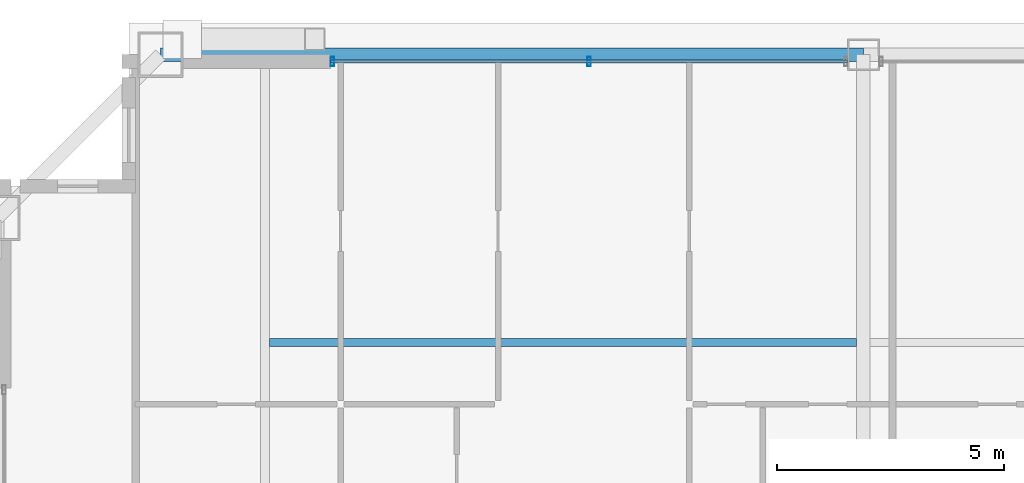
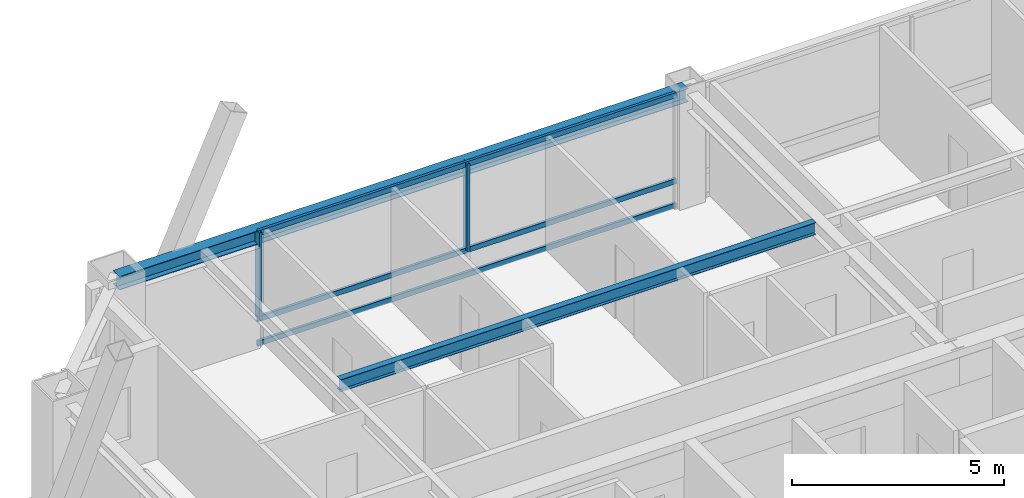
# One storey, part 15 of 33: 5 members, 2 beams, 1 element without a shape of its own.
"""IFC4 building model written with IfcOpenShell, lengths in metres."""

from ifc_helpers import new_model, si_unit, direction, frame, origin, origin_2d, place, context, subcontext, project, spatial, hollow_rectangle, i_section, extrude, source, transform, mapped, material, layer, layer_set, material_profile, profile_set, type_object, element, aggregate, save


model = new_model("IFC4")

# Units and contexts
model_context = context("Model", 3, precision=1e-05, world=origin(), true_north=direction((0.0, 1.0)))
body_context = subcontext(model_context, "Body", "Model", "MODEL_VIEW")
ifc_project = project(units=[si_unit("LENGTHUNIT", "METRE"), si_unit("AREAUNIT", "SQUARE_METRE"), si_unit("VOLUMEUNIT", "CUBIC_METRE"), si_unit("PLANEANGLEUNIT", "RADIAN"), si_unit("MASSUNIT", "GRAM", prefix="KILO"), si_unit("THERMODYNAMICTEMPERATUREUNIT", "KELVIN"), si_unit("POWERUNIT", "WATT")], contexts=[model_context])

# Site, building, storey
site_placement = place(None, origin())
site = spatial("IfcSite", under=ifc_project, at=site_placement, CompositionType="ELEMENT")
building_placement = place(site_placement, origin())
building = spatial("IfcBuilding", under=site, at=building_placement, Name="Yuzanri Waterfront Tower", CompositionType="ELEMENT")
storey_placement = place(building_placement, frame((0.0, 0.0, 292.60009765625)))
storey = spatial("IfcBuildingStorey", under=building, at=storey_placement, Name="L78", CompositionType="ELEMENT", Elevation=292.60009765625)

# Beams
ifc_material_1 = material(Name="Steel Q355B", Category="steel")
ifc_material_profile_1 = material_profile(ifc_material_1, i_section(OverallWidth=0.175048828125, OverallDepth=0.35009765625, WebThickness=0.007080078125, FlangeThickness=0.010986328125, at=origin_2d()), Name="HN 350x175x7x11")
ifc_profile_set_1 = profile_set([ifc_material_profile_1], Name="Steel Q355B")
beam_type_1 = type_object("IfcBeamType", Name="Floor Joist Q355B HN 350x175", PredefinedType="JOIST", material=ifc_profile_set_1)
shared_shape_1 = source(origin(), body_context, "Body", "SweptSolid", [
    extrude(i_section(OverallWidth=0.175048828125, OverallDepth=0.35009765625, WebThickness=0.007080078125, FlangeThickness=0.010986328125, at=origin_2d()), origin(), (0.0, 0.0, 1.0), 12.9501953125),
])
beam_1_placement = place(storey_placement, frame((23.89990234375, 38.550048828125, 3.10498046875), z_axis=(1.0, 0.0, 0.0), x_axis=(0.0, 1.0, 0.0)))
element("IfcBeam", 1, at=beam_1_placement, inside=storey, type_object=beam_type_1, Name="L78 North Bay Joist W", PredefinedType="JOIST", context=body_context, shape_type="MappedRepresentation", body=[
    mapped(shared_shape_1, transform((0.0, 0.0, 0.0), scale=1.0)),
])
ifc_material_2 = material(Name="Steel Q355B", Category="steel")
ifc_material_profile_2 = material_profile(ifc_material_2, i_section(OverallWidth=0.300048828125, OverallDepth=0.389892578125, WebThickness=0.010009765625, FlangeThickness=0.01611328125, at=origin_2d()), Name="HM 390x300x10x16")
ifc_profile_set_2 = profile_set([ifc_material_profile_2], Name="Steel Q355B")
beam_type_2 = type_object("IfcBeamType", Name="Perimeter Spandrel Q355B HM 390x300", PredefinedType="SPANDREL", material=ifc_profile_set_2)
shared_shape_2 = source(origin(), body_context, "Body", "SweptSolid", [
    extrude(i_section(OverallWidth=0.300048828125, OverallDepth=0.389892578125, WebThickness=0.010009765625, FlangeThickness=0.01611328125, at=origin_2d()), origin(), (0.0, 0.0, 1.0), 15.5),
])
beam_2_placement = place(storey_placement, frame((37.0, 44.89990234375, 3.0849609375), z_axis=(-1.0, 0.0, 0.0), x_axis=(0.0, -1.0, 0.0)))
element("IfcBeam", 2, at=beam_2_placement, inside=storey, type_object=beam_type_2, Name="L78 Perimeter Spandrel N2-N1", PredefinedType="SPANDREL", context=body_context, shape_type="MappedRepresentation", body=[
    mapped(shared_shape_2, transform((0.0, 0.0, 0.0), scale=1.0)),
])

# Curtain wall, members
ifc_material_3 = material(Name="Anodized Architectural Bronze", Category="metal")
ifc_layer = layer(ifc_material_3, 0.159912109375)
ifc_layer_set = layer_set([ifc_layer], Name="Anodized Architectural Bronze")
curtain_wall_type = type_object("IfcCurtainWallType", Name="Anodized Bronze High-Rise Penthouse High-Wind Unitized Curtain Wall 6900", PredefinedType="NOTDEFINED", material=ifc_layer_set)
curtain_wall_placement = place(storey_placement, origin())
curtain_wall = element("IfcCurtainWall", 3, at=curtain_wall_placement, inside=storey, type_object=curtain_wall_type, Name="L78 Curtain Wall CW-L78-NL", PredefinedType="NOTDEFINED")
ifc_material_4 = material(Name="Anodized Architectural Bronze", Category="metal")
ifc_material_profile_3 = material_profile(ifc_material_4, hollow_rectangle(XDim=0.074951171875, YDim=0.199951171875, WallThickness=0.00390625, at=origin_2d()), Name="CWM 75x200")
ifc_profile_set_3 = profile_set([ifc_material_profile_3], Name="Anodized Architectural Bronze")
member_type_1 = type_object("IfcMemberType", Name="Anodized Bronze Primary Curtain-Wall Mullion 75x200", PredefinedType="MULLION", material=ifc_profile_set_3)
shared_shape_3 = source(origin(), body_context, "Body", "SweptSolid", [
    extrude(hollow_rectangle(XDim=0.074951171875, YDim=0.199951171875, WallThickness=0.00390625, at=origin_2d()), origin(), (0.0, 0.0, 1.0), 2.52392578125),
])
member_1_placement = place(storey_placement, frame((25.2900390625, 44.75, 0.755859375), z_axis=(0.0, 0.0, 1.0), x_axis=(1.0, 0.0, 0.0)))
member_1 = element("IfcMember", 4, at=member_1_placement, type_object=member_type_1, Name="CW-L78-NL Upper Mullion 00", PredefinedType="MULLION", context=body_context, shape_type="MappedRepresentation", body=[
    mapped(shared_shape_3, transform((0.0, 0.0, 0.0), scale=1.0)),
])
member_2_placement = place(storey_placement, frame((30.949951171875, 44.75, 0.755859375), z_axis=(0.0, 0.0, 1.0), x_axis=(1.0, 0.0, 0.0)))
member_2 = element("IfcMember", 5, at=member_2_placement, type_object=member_type_1, Name="CW-L78-NL Upper Mullion 01", PredefinedType="MULLION", context=body_context, shape_type="MappedRepresentation", body=[
    mapped(shared_shape_3, transform((0.0, 0.0, 0.0), scale=1.0)),
])
ifc_material_5 = material(Name="Anodized Architectural Bronze", Category="metal")
ifc_material_profile_4 = material_profile(ifc_material_5, hollow_rectangle(XDim=0.074951171875, YDim=0.14990234375, WallThickness=0.00390625, at=origin_2d()), Name="CWT 75x150")
ifc_profile_set_4 = profile_set([ifc_material_profile_4], Name="Anodized Architectural Bronze")
member_type_2 = type_object("IfcMemberType", Name="Anodized Bronze Primary Curtain-Wall Transom 75x150", PredefinedType="USERDEFINED", material=ifc_profile_set_4)
shared_shape_4 = source(origin(), body_context, "Body", "SweptSolid", [
    extrude(hollow_rectangle(XDim=0.074951171875, YDim=0.14990234375, WallThickness=0.00390625, at=origin_2d()), origin(), (0.0, 0.0, 1.0), 11.39990234375),
])
member_3_placement = place(storey_placement, frame((25.25, 44.75, 0.0498046875), z_axis=(1.0, 0.0, 0.0), x_axis=(0.0, 1.0, 0.0)))
member_3 = element("IfcMember", 6, at=member_3_placement, type_object=member_type_2, Name="CW-L78-NL Transom 1", ObjectType="TRANSOM", PredefinedType="USERDEFINED", context=body_context, shape_type="MappedRepresentation", body=[
    mapped(shared_shape_4, transform((0.0, 0.0, 0.0), scale=1.0)),
])
member_4_placement = place(storey_placement, frame((25.25, 44.75, 0.75390625), z_axis=(1.0, 0.0, 0.0), x_axis=(0.0, 1.0, 0.0)))
member_4 = element("IfcMember", 7, at=member_4_placement, type_object=member_type_2, Name="CW-L78-NL Transom 2", ObjectType="TRANSOM", PredefinedType="USERDEFINED", context=body_context, shape_type="MappedRepresentation", body=[
    mapped(shared_shape_4, transform((0.0, 0.0, 0.0), scale=1.0)),
])
member_5_placement = place(storey_placement, frame((25.25, 44.75, 3.22998046875), z_axis=(1.0, 0.0, 0.0), x_axis=(0.0, 1.0, 0.0)))
member_5 = element("IfcMember", 8, at=member_5_placement, type_object=member_type_2, Name="CW-L78-NL Transom 3", ObjectType="TRANSOM", PredefinedType="USERDEFINED", context=body_context, shape_type="MappedRepresentation", body=[
    mapped(shared_shape_4, transform((0.0, 0.0, 0.0), scale=1.0)),
])
aggregate(curtain_wall, [member_1, member_2, member_3, member_4, member_5])

save(model, "model.ifc")
